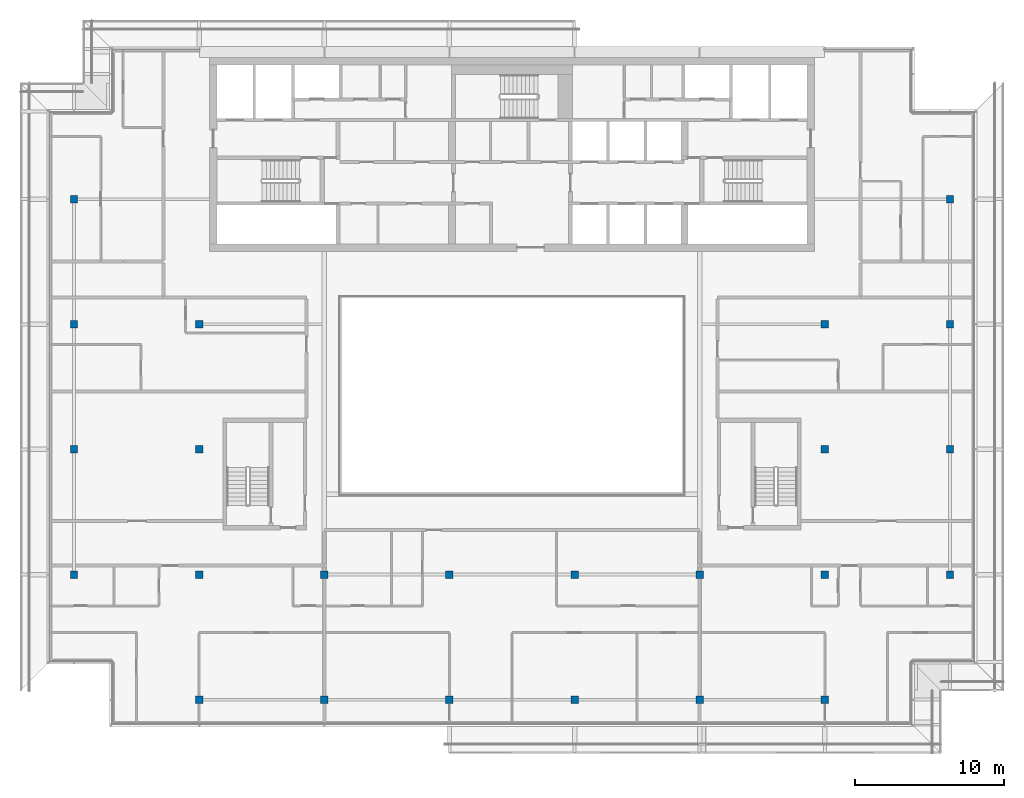
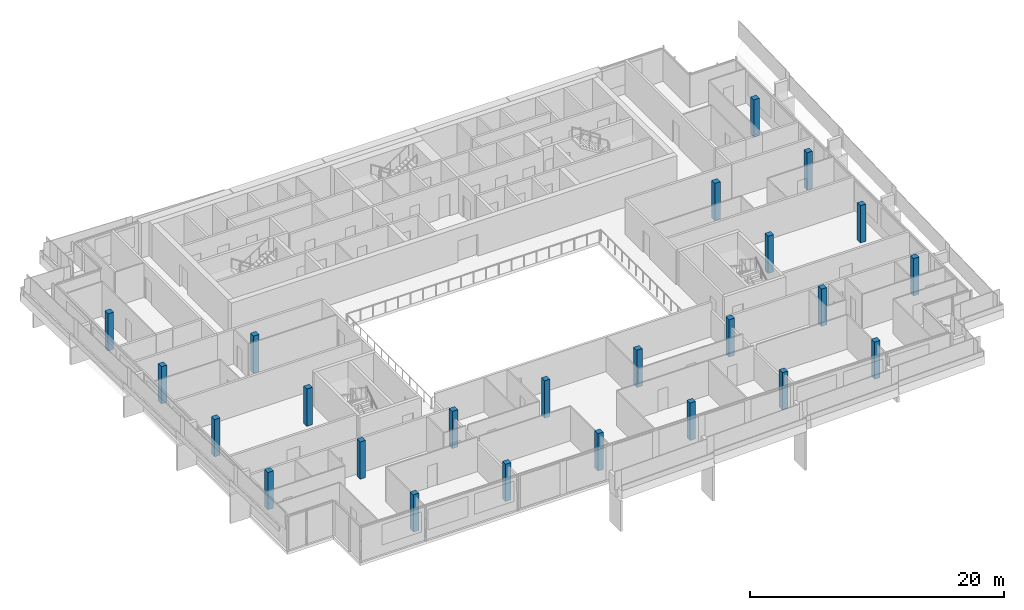
# One storey, part 1 of 26: 24 columns.
"""IFC4 building model written with IfcOpenShell, lengths in metres."""

from ifc_helpers import new_model, si_unit, direction, frame, origin, origin_2d, place, context, subcontext, project, spatial, rectangle, extrude, material, material_profile, profile_set, type_object, element, save


model = new_model("IFC4")

# Units and contexts
model_context = context("Model", 3, precision=1e-05, world=origin(), true_north=direction((0.0, 1.0)))
body_context = subcontext(model_context, "Body", "Model", "MODEL_VIEW")
ifc_project = project(units=[si_unit("LENGTHUNIT", "METRE"), si_unit("AREAUNIT", "SQUARE_METRE"), si_unit("VOLUMEUNIT", "CUBIC_METRE"), si_unit("PLANEANGLEUNIT", "RADIAN"), si_unit("MASSUNIT", "GRAM", prefix="KILO")], contexts=[model_context])

# Site, building, storey
site_placement = place(None, origin())
site = spatial("IfcSite", under=ifc_project, at=site_placement, CompositionType="ELEMENT")
building_placement = place(site_placement, origin())
building = spatial("IfcBuilding", under=site, at=building_placement, Name="Saffron Gate Tower", CompositionType="ELEMENT")
storey_placement = place(building_placement, frame((0.0, 0.0, 277.949951171875)))
storey = spatial("IfcBuildingStorey", under=building, at=storey_placement, Name="L67", CompositionType="ELEMENT", Elevation=277.949951171875)

# Columns
ifc_material = material(Name="Concrete C40", Category="concrete")
ifc_material_profile = material_profile(ifc_material, rectangle(XDim=0.5, YDim=0.5, at=origin_2d()))
ifc_profile_set = profile_set([ifc_material_profile], Name="Concrete C40")
column_type = type_object("IfcColumnType", Name="C1 RC 500x500 CONCRETE C40", PredefinedType="COLUMN", material=ifc_profile_set)
for number, where, z_axis, x_axis, name in (
    (1, (58.199951171875, 40.199951171875, 0.0), (0.0, 0.0, 1.0), (1.0, 0.0, 0.0), "C1 COLUMN X2-B"),
    (2, (58.199951171875, 48.60009765625, 0.0), (0.0, 0.0, 1.0), (1.0, 0.0, 0.0), "C1 COLUMN X2-C"),
    (3, (58.199951171875, 57.0, 0.0), (0.0, 0.0, 1.0), (1.0, 0.0, 0.0), "C1 COLUMN X2-D"),
    (4, (58.199951171875, 65.39990234375, 0.0), (0.0, 0.0, 1.0), (1.0, 0.0, 0.0), "C1 COLUMN X2-E"),
    (5, (66.60009765625, 31.800048828125, 0.0), (0.0, 0.0, 1.0), (1.0, 0.0, 0.0), "C1 COLUMN X3-A"),
    (6, (66.60009765625, 40.199951171875, 0.0), (0.0, 0.0, 1.0), (1.0, 0.0, 0.0), "C1 COLUMN X3-B"),
    (7, (66.60009765625, 48.60009765625, 0.0), (0.0, 0.0, 1.0), (1.0, 0.0, 0.0), "C1 COLUMN X3-C"),
    (8, (66.60009765625, 57.0, 0.0), (0.0, 0.0, 1.0), (1.0, 0.0, 0.0), "C1 COLUMN X3-D"),
    (9, (75.0, 31.800048828125, 0.0), (0.0, 0.0, 1.0), (1.0, 0.0, 0.0), "C1 COLUMN X4-A"),
    (10, (75.0, 40.199951171875, 0.0), (0.0, 0.0, 1.0), (1.0, 0.0, 0.0), "C1 COLUMN X4-B"),
    (11, (83.39990234375, 31.800048828125, 0.0), (0.0, 0.0, 1.0), (1.0, 0.0, 0.0), "C1 COLUMN X5-A"),
    (12, (83.39990234375, 40.199951171875, 0.0), (0.0, 0.0, 1.0), (1.0, 0.0, 0.0), "C1 COLUMN X5-B"),
    (13, (91.800048828125, 31.800048828125, 0.0), (0.0, 0.0, 1.0), (1.0, 0.0, 0.0), "C1 COLUMN X6-A"),
    (14, (91.800048828125, 40.199951171875, 0.0), (0.0, 0.0, 1.0), (1.0, 0.0, 0.0), "C1 COLUMN X6-B"),
    (15, (100.199951171875, 31.800048828125, 0.0), (0.0, 0.0, 1.0), (1.0, 0.0, 0.0), "C1 COLUMN X7-A"),
    (16, (100.199951171875, 40.199951171875, 0.0), (0.0, 0.0, 1.0), (1.0, 0.0, 0.0), "C1 COLUMN X7-B"),
    (17, (108.60009765625, 31.800048828125, 0.0), (0.0, 0.0, 1.0), (1.0, 0.0, 0.0), "C1 COLUMN X8-A"),
    (18, (108.60009765625, 40.199951171875, 0.0), (0.0, 0.0, 1.0), (1.0, 0.0, 0.0), "C1 COLUMN X8-B"),
    (19, (108.60009765625, 48.60009765625, 0.0), (0.0, 0.0, 1.0), (1.0, 0.0, 0.0), "C1 COLUMN X8-C"),
    (20, (108.60009765625, 57.0, 0.0), (0.0, 0.0, 1.0), (1.0, 0.0, 0.0), "C1 COLUMN X8-D"),
    (21, (117.0, 40.199951171875, 0.0), (0.0, 0.0, 1.0), (1.0, 0.0, 0.0), "C1 COLUMN X9-B"),
    (22, (117.0, 48.60009765625, 0.0), (0.0, 0.0, 1.0), (1.0, 0.0, 0.0), "C1 COLUMN X9-C"),
    (23, (117.0, 57.0, 0.0), (0.0, 0.0, 1.0), (1.0, 0.0, 0.0), "C1 COLUMN X9-D"),
    (24, (117.0, 65.39990234375, 0.0), (0.0, 0.0, 1.0), (1.0, 0.0, 0.0), "C1 COLUMN X9-E"),
):
    element("IfcColumn", number, at=place(storey_placement, frame(where, z_axis=z_axis, x_axis=x_axis)), inside=storey, type_object=column_type, Name=name, PredefinedType="COLUMN", context=body_context, shape_type="SweptSolid", body=[
        extrude(rectangle(XDim=0.5, YDim=0.5, at=origin_2d()), origin(), (0.0, 0.0, 1.0), 3.60009765625),
    ])

save(model, "model.ifc")
